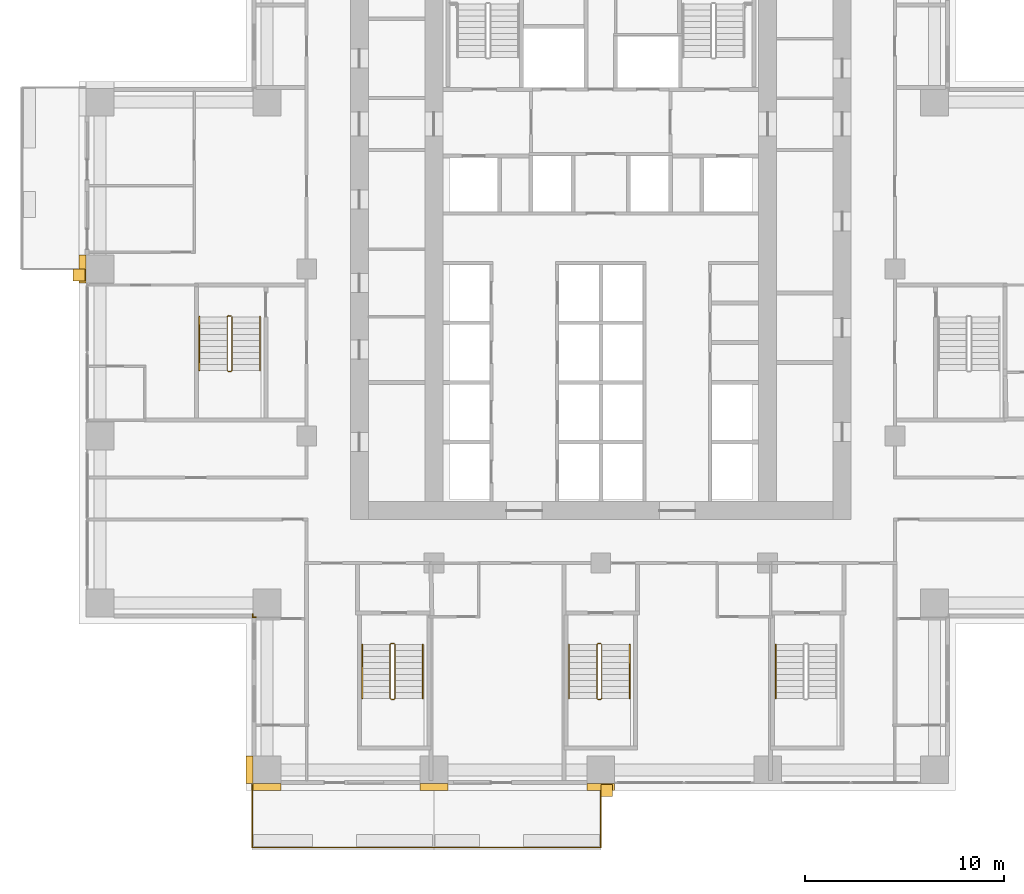
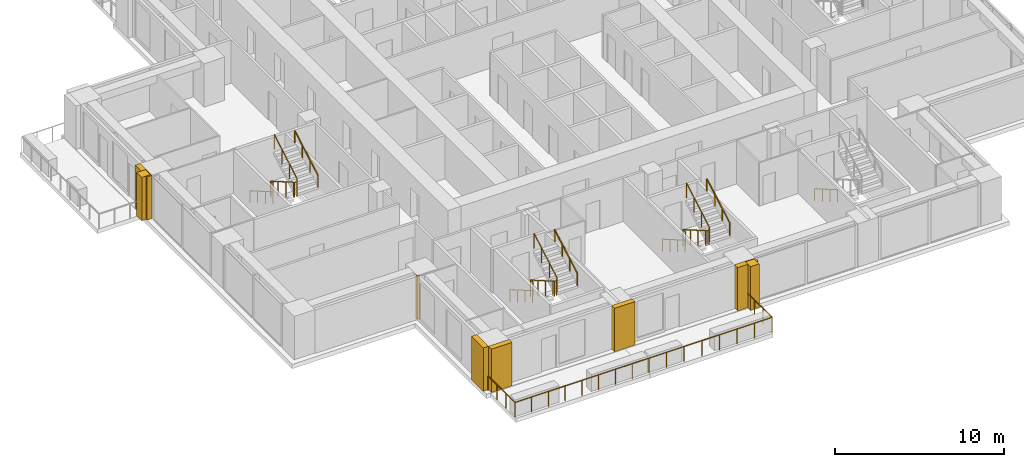
# One storey, part 13 of 16: 12 railings, 8 coverings.
"""IFC4 building model written with IfcOpenShell, lengths in metres."""

from ifc_helpers import new_model, si_unit, direction, frame, origin, origin_2d, place, context, subcontext, project, spatial, polyline, rectangle, outline, extrude, material, type_object, element, save


model = new_model("IFC4")

# Units and contexts
model_context = context("Model", 3, precision=1e-05, world=origin(), true_north=direction((0.0, 1.0)))
body_context = subcontext(model_context, "Body", "Model", "MODEL_VIEW")
ifc_project = project(units=[si_unit("LENGTHUNIT", "METRE"), si_unit("AREAUNIT", "SQUARE_METRE"), si_unit("VOLUMEUNIT", "CUBIC_METRE"), si_unit("PLANEANGLEUNIT", "RADIAN"), si_unit("MASSUNIT", "GRAM", prefix="KILO")], contexts=[model_context])

# Site, building, storey
site_placement = place(None, origin())
site = spatial("IfcSite", under=ifc_project, at=site_placement, CompositionType="ELEMENT")
building_placement = place(site_placement, origin())
building = spatial("IfcBuilding", under=site, at=building_placement, Name="Vermilion Ogive Tower", CompositionType="ELEMENT")
storey_placement = place(building_placement, frame((0.0, 0.0, 44.85009765625)))
storey = spatial("IfcBuildingStorey", under=building, at=storey_placement, Name="L09", CompositionType="ELEMENT", Elevation=44.85009765625)

# Railings
ifc_material_1 = material(Name="Stainless steel and glass", Category="steel")
railing_type_1 = type_object("IfcRailingType", Name="Balcony guard", PredefinedType="GUARDRAIL", material=ifc_material_1)
railing_1_placement = place(storey_placement, frame((-17.550048828125, -21.75, -0.0400390625)))
element("IfcRailing", 1, at=railing_1_placement, inside=storey, type_object=railing_type_1, Name="Guard S01", PredefinedType="GUARDRAIL", context=body_context, shape_type="SweptSolid", body=[
    extrude(rectangle(XDim=0.048095703125, YDim=0.048095703125, at=origin_2d()), frame((0.0, 0.0, 1.076171875), z_axis=(0.0, -1.0, 0.0), x_axis=(1.0, 0.0, 0.0)), (0.0, 0.0, 1.0), 3.159912109375),
    extrude(rectangle(XDim=0.048095703125, YDim=0.048095703125, at=origin_2d()), frame((0.0, -3.159912109375, 1.076171875), z_axis=(1.0, 0.0, 0.0), x_axis=(0.0, 1.0, 0.0)), (0.0, 0.0, 1.0), 9.150146484375),
    extrude(rectangle(XDim=0.0419921875, YDim=0.0419921875, at=origin_2d()), origin(), (0.0, 0.0, 1.0), 1.052001953125),
    extrude(rectangle(XDim=0.0419921875, YDim=0.0419921875, at=origin_2d()), frame((0.0, -1.05322265625, 0.0)), (0.0, 0.0, 1.0), 1.052001953125),
    extrude(rectangle(XDim=0.0419921875, YDim=0.0419921875, at=origin_2d()), frame((0.0, -2.106689453125, 0.0)), (0.0, 0.0, 1.0), 1.052001953125),
    extrude(rectangle(XDim=0.0419921875, YDim=0.0419921875, at=origin_2d()), frame((0.0, -3.159912109375, 0.0)), (0.0, 0.0, 1.0), 1.052001953125),
    extrude(rectangle(XDim=0.0419921875, YDim=0.0419921875, at=origin_2d()), frame((1.143798828125, -3.159912109375, 0.0)), (0.0, 0.0, 1.0), 1.052001953125),
    extrude(rectangle(XDim=0.0419921875, YDim=0.0419921875, at=origin_2d()), frame((2.28759765625, -3.159912109375, 0.0)), (0.0, 0.0, 1.0), 1.052001953125),
    extrude(rectangle(XDim=0.0419921875, YDim=0.0419921875, at=origin_2d()), frame((3.431396484375, -3.159912109375, 0.0)), (0.0, 0.0, 1.0), 1.052001953125),
    extrude(rectangle(XDim=0.0419921875, YDim=0.0419921875, at=origin_2d()), frame((4.5751953125, -3.159912109375, 0.0)), (0.0, 0.0, 1.0), 1.052001953125),
    extrude(rectangle(XDim=0.0419921875, YDim=0.0419921875, at=origin_2d()), frame((5.71875, -3.159912109375, 0.0)), (0.0, 0.0, 1.0), 1.052001953125),
    extrude(rectangle(XDim=0.0419921875, YDim=0.0419921875, at=origin_2d()), frame((6.862548828125, -3.159912109375, 0.0)), (0.0, 0.0, 1.0), 1.052001953125),
    extrude(rectangle(XDim=0.0419921875, YDim=0.0419921875, at=origin_2d()), frame((8.00634765625, -3.159912109375, 0.0)), (0.0, 0.0, 1.0), 1.052001953125),
    extrude(rectangle(XDim=0.0419921875, YDim=0.0419921875, at=origin_2d()), frame((9.150146484375, -3.159912109375, 0.0)), (0.0, 0.0, 1.0), 1.052001953125),
])
railing_2_placement = place(storey_placement, frame((-8.39990234375, -24.909912109375, -0.0400390625)))
element("IfcRailing", 2, at=railing_2_placement, inside=storey, type_object=railing_type_1, Name="Guard S02", PredefinedType="GUARDRAIL", context=body_context, shape_type="SweptSolid", body=[
    extrude(rectangle(XDim=0.048095703125, YDim=0.048095703125, at=origin_2d()), frame((0.0, 0.0, 1.076171875), z_axis=(1.0, 0.0, 0.0), x_axis=(0.0, 1.0, 0.0)), (0.0, 0.0, 1.0), 8.39990234375),
    extrude(rectangle(XDim=0.048095703125, YDim=0.048095703125, at=origin_2d()), frame((8.39990234375, 0.0, 1.076171875), z_axis=(0.0, 1.0, 0.0), x_axis=(-1.0, 0.0, 0.0)), (0.0, 0.0, 1.0), 3.159912109375),
    extrude(rectangle(XDim=0.0419921875, YDim=0.0419921875, at=origin_2d()), origin(), (0.0, 0.0, 1.0), 1.052001953125),
    extrude(rectangle(XDim=0.0419921875, YDim=0.0419921875, at=origin_2d()), frame((1.199951171875, 0.0, 0.0)), (0.0, 0.0, 1.0), 1.052001953125),
    extrude(rectangle(XDim=0.0419921875, YDim=0.0419921875, at=origin_2d()), frame((2.39990234375, 0.0, 0.0)), (0.0, 0.0, 1.0), 1.052001953125),
    extrude(rectangle(XDim=0.0419921875, YDim=0.0419921875, at=origin_2d()), frame((3.599853515625, 0.0, 0.0)), (0.0, 0.0, 1.0), 1.052001953125),
    extrude(rectangle(XDim=0.0419921875, YDim=0.0419921875, at=origin_2d()), frame((4.800048828125, 0.0, 0.0)), (0.0, 0.0, 1.0), 1.052001953125),
    extrude(rectangle(XDim=0.0419921875, YDim=0.0419921875, at=origin_2d()), frame((6.0, 0.0, 0.0)), (0.0, 0.0, 1.0), 1.052001953125),
    extrude(rectangle(XDim=0.0419921875, YDim=0.0419921875, at=origin_2d()), frame((7.199951171875, 0.0, 0.0)), (0.0, 0.0, 1.0), 1.052001953125),
    extrude(rectangle(XDim=0.0419921875, YDim=0.0419921875, at=origin_2d()), frame((8.39990234375, 0.0, 0.0)), (0.0, 0.0, 1.0), 1.052001953125),
    extrude(rectangle(XDim=0.0419921875, YDim=0.0419921875, at=origin_2d()), frame((8.39990234375, 1.05322265625, 0.0)), (0.0, 0.0, 1.0), 1.052001953125),
    extrude(rectangle(XDim=0.0419921875, YDim=0.0419921875, at=origin_2d()), frame((8.39990234375, 2.106689453125, 0.0)), (0.0, 0.0, 1.0), 1.052001953125),
    extrude(rectangle(XDim=0.0419921875, YDim=0.0419921875, at=origin_2d()), frame((8.39990234375, 3.159912109375, 0.0)), (0.0, 0.0, 1.0), 1.052001953125),
])
ifc_material_2 = material(Name="Steel S355 painted", Category="steel")
railing_type_2 = type_object("IfcRailingType", Name="Stair guard 1100", PredefinedType="GUARDRAIL", material=ifc_material_2)
railing_3_placement = place(storey_placement, frame((-10.39990234375, -14.64990234375, 0.0)))
element("IfcRailing", 3, at=railing_3_placement, inside=storey, type_object=railing_type_2, Name="L09 ST3 stair guard 4", PredefinedType="GUARDRAIL", context=body_context, shape_type="SweptSolid", body=[
    extrude(rectangle(XDim=0.048095703125, YDim=0.048095703125, at=origin_2d()), frame((0.0, 0.0, 1.076171875), z_axis=(-1.0, 0.0, 0.0), x_axis=(0.0, -1.0, 0.0)), (0.0, 0.0, 1.0), 0.150146484375),
    extrude(rectangle(XDim=0.048095703125, YDim=0.048095703125, at=origin_2d()), frame((-0.150146484375, 0.0, 1.076171875), z_axis=(-0.268603158521, -0.268603158521, 0.925043072762), x_axis=(0.707106781187, -0.707106781187, 0.0)), (0.0, 0.0, 1.0), 0.186279296875),
    extrude(rectangle(XDim=0.048095703125, YDim=0.048095703125, at=origin_2d()), frame((-0.2001953125, -0.050048828125, 1.24853515625), z_axis=(0.0, -0.866903762492, 0.498475542607), x_axis=(1.0, 0.0, 0.0)), (0.0, 0.0, 1.0), 3.114501953125),
    extrude(rectangle(XDim=0.048095703125, YDim=0.048095703125, at=origin_2d()), frame((-0.2001953125, -2.75, 2.80078125), z_axis=(0.707106781187, -0.707106781187, 0.0), x_axis=(0.707106781187, 0.707106781187, 0.0)), (0.0, 0.0, 1.0), 0.07080078125),
    extrude(rectangle(XDim=0.048095703125, YDim=0.048095703125, at=origin_2d()), frame((-0.150146484375, -2.800048828125, 2.80078125), z_axis=(1.0, 0.0, 0.0), x_axis=(0.0, 1.0, 0.0)), (0.0, 0.0, 1.0), 0.150146484375),
    extrude(rectangle(XDim=0.048095703125, YDim=0.048095703125, at=origin_2d()), frame((0.0, -2.800048828125, 2.80078125), z_axis=(0.267062837333, 0.268371968888, 0.925556009775), x_axis=(-0.708833529934, 0.705375805398, 0.0)), (0.0, 0.0, 1.0), 0.1865234375),
    extrude(rectangle(XDim=0.048095703125, YDim=0.048095703125, at=origin_2d()), frame((0.0498046875, -2.75, 2.9736328125), z_axis=(0.0, 0.866903762492, 0.498475542607), x_axis=(-1.0, 0.0, 0.0)), (0.0, 0.0, 1.0), 3.114501953125),
    extrude(rectangle(XDim=0.0419921875, YDim=0.0419921875, at=origin_2d()), origin(), (0.0, 0.0, 1.0), 1.052001953125),
    extrude(rectangle(XDim=0.0419921875, YDim=0.0419921875, at=origin_2d()), frame((-0.150146484375, 0.0, 0.0)), (0.0, 0.0, 1.0), 1.052001953125),
    extrude(rectangle(XDim=0.0419921875, YDim=0.0419921875, at=origin_2d()), frame((-0.2001953125, -0.050048828125, 0.17236328125)), (0.0, 0.0, 1.0), 1.052001953125),
    extrude(rectangle(XDim=0.0419921875, YDim=0.0419921875, at=origin_2d()), frame((-0.2001953125, -0.949951171875, 0.68994140625)), (0.0, 0.0, 1.0), 1.052001953125),
    extrude(rectangle(XDim=0.0419921875, YDim=0.0419921875, at=origin_2d()), frame((-0.2001953125, -1.85009765625, 1.207275390625)), (0.0, 0.0, 1.0), 1.052001953125),
    extrude(rectangle(XDim=0.0419921875, YDim=0.0419921875, at=origin_2d()), frame((-0.2001953125, -2.75, 1.724853515625)), (0.0, 0.0, 1.0), 1.052001953125),
    extrude(rectangle(XDim=0.0419921875, YDim=0.0419921875, at=origin_2d()), frame((-0.150146484375, -2.800048828125, 1.724853515625)), (0.0, 0.0, 1.0), 1.052001953125),
    extrude(rectangle(XDim=0.0419921875, YDim=0.0419921875, at=origin_2d()), frame((0.0, -2.800048828125, 1.724853515625)), (0.0, 0.0, 1.0), 1.052001953125),
    extrude(rectangle(XDim=0.0419921875, YDim=0.0419921875, at=origin_2d()), frame((0.0498046875, -2.75, 1.8974609375)), (0.0, 0.0, 1.0), 1.052001953125),
    extrude(rectangle(XDim=0.0419921875, YDim=0.0419921875, at=origin_2d()), frame((0.0498046875, -1.85009765625, 2.4150390625)), (0.0, 0.0, 1.0), 1.052001953125),
    extrude(rectangle(XDim=0.0419921875, YDim=0.0419921875, at=origin_2d()), frame((0.0498046875, -0.949951171875, 2.932373046875)), (0.0, 0.0, 1.0), 1.052001953125),
    extrude(rectangle(XDim=0.0419921875, YDim=0.0419921875, at=origin_2d()), frame((0.0498046875, -0.050048828125, 3.449951171875)), (0.0, 0.0, 1.0), 1.052001953125),
])
railing_4_placement = place(storey_placement, frame((0.0, -14.64990234375, 0.0)))
element("IfcRailing", 4, at=railing_4_placement, inside=storey, type_object=railing_type_2, Name="L09 ST4 stair guard 4", PredefinedType="GUARDRAIL", context=body_context, shape_type="SweptSolid", body=[
    extrude(rectangle(XDim=0.048095703125, YDim=0.048095703125, at=origin_2d()), frame((0.0, 0.0, 1.076171875), z_axis=(-1.0, 0.0, 0.0), x_axis=(0.0, -1.0, 0.0)), (0.0, 0.0, 1.0), 0.14990234375),
    extrude(rectangle(XDim=0.048095703125, YDim=0.048095703125, at=origin_2d()), frame((-0.14990234375, 0.0, 1.076171875), z_axis=(-0.268603158521, -0.268603158521, 0.925043072762), x_axis=(0.707106781187, -0.707106781187, 0.0)), (0.0, 0.0, 1.0), 0.186279296875),
    extrude(rectangle(XDim=0.048095703125, YDim=0.048095703125, at=origin_2d()), frame((-0.199951171875, -0.050048828125, 1.24853515625), z_axis=(0.0, -0.866903762492, 0.498475542607), x_axis=(1.0, 0.0, 0.0)), (0.0, 0.0, 1.0), 3.114501953125),
    extrude(rectangle(XDim=0.048095703125, YDim=0.048095703125, at=origin_2d()), frame((-0.199951171875, -2.75, 2.80078125), z_axis=(0.707106781187, -0.707106781187, 0.0), x_axis=(0.707106781187, 0.707106781187, 0.0)), (0.0, 0.0, 1.0), 0.07080078125),
    extrude(rectangle(XDim=0.048095703125, YDim=0.048095703125, at=origin_2d()), frame((-0.14990234375, -2.800048828125, 2.80078125), z_axis=(1.0, 0.0, 0.0), x_axis=(0.0, 1.0, 0.0)), (0.0, 0.0, 1.0), 0.14990234375),
    extrude(rectangle(XDim=0.048095703125, YDim=0.048095703125, at=origin_2d()), frame((0.0, -2.800048828125, 2.80078125), z_axis=(0.268277960024, 0.268277960024, 0.925231793839), x_axis=(-0.707106781187, 0.707106781187, 0.0)), (0.0, 0.0, 1.0), 0.1865234375),
    extrude(rectangle(XDim=0.048095703125, YDim=0.048095703125, at=origin_2d()), frame((0.050048828125, -2.75, 2.9736328125), z_axis=(0.0, 0.866903762492, 0.498475542607), x_axis=(-1.0, 0.0, 0.0)), (0.0, 0.0, 1.0), 3.114501953125),
    extrude(rectangle(XDim=0.0419921875, YDim=0.0419921875, at=origin_2d()), origin(), (0.0, 0.0, 1.0), 1.052001953125),
    extrude(rectangle(XDim=0.0419921875, YDim=0.0419921875, at=origin_2d()), frame((-0.14990234375, 0.0, 0.0)), (0.0, 0.0, 1.0), 1.052001953125),
    extrude(rectangle(XDim=0.0419921875, YDim=0.0419921875, at=origin_2d()), frame((-0.199951171875, -0.050048828125, 0.17236328125)), (0.0, 0.0, 1.0), 1.052001953125),
    extrude(rectangle(XDim=0.0419921875, YDim=0.0419921875, at=origin_2d()), frame((-0.199951171875, -0.949951171875, 0.68994140625)), (0.0, 0.0, 1.0), 1.052001953125),
    extrude(rectangle(XDim=0.0419921875, YDim=0.0419921875, at=origin_2d()), frame((-0.199951171875, -1.85009765625, 1.207275390625)), (0.0, 0.0, 1.0), 1.052001953125),
    extrude(rectangle(XDim=0.0419921875, YDim=0.0419921875, at=origin_2d()), frame((-0.199951171875, -2.75, 1.724853515625)), (0.0, 0.0, 1.0), 1.052001953125),
    extrude(rectangle(XDim=0.0419921875, YDim=0.0419921875, at=origin_2d()), frame((-0.14990234375, -2.800048828125, 1.724853515625)), (0.0, 0.0, 1.0), 1.052001953125),
    extrude(rectangle(XDim=0.0419921875, YDim=0.0419921875, at=origin_2d()), frame((0.0, -2.800048828125, 1.724853515625)), (0.0, 0.0, 1.0), 1.052001953125),
    extrude(rectangle(XDim=0.0419921875, YDim=0.0419921875, at=origin_2d()), frame((0.050048828125, -2.75, 1.8974609375)), (0.0, 0.0, 1.0), 1.052001953125),
    extrude(rectangle(XDim=0.0419921875, YDim=0.0419921875, at=origin_2d()), frame((0.050048828125, -1.85009765625, 2.4150390625)), (0.0, 0.0, 1.0), 1.052001953125),
    extrude(rectangle(XDim=0.0419921875, YDim=0.0419921875, at=origin_2d()), frame((0.050048828125, -0.949951171875, 2.932373046875)), (0.0, 0.0, 1.0), 1.052001953125),
    extrude(rectangle(XDim=0.0419921875, YDim=0.0419921875, at=origin_2d()), frame((0.050048828125, -0.050048828125, 3.449951171875)), (0.0, 0.0, 1.0), 1.052001953125),
])
railing_5_placement = place(storey_placement, frame((-18.60009765625, 1.85009765625, 0.0)))
element("IfcRailing", 5, at=railing_5_placement, inside=storey, type_object=railing_type_2, Name="L09 ST9 stair guard 4", PredefinedType="GUARDRAIL", context=body_context, shape_type="SweptSolid", body=[
    extrude(rectangle(XDim=0.048095703125, YDim=0.048095703125, at=origin_2d()), frame((0.0, 0.0, 1.076171875), z_axis=(-1.0, 0.0, 0.0), x_axis=(0.0, -1.0, 0.0)), (0.0, 0.0, 1.0), 0.14990234375),
    extrude(rectangle(XDim=0.048095703125, YDim=0.048095703125, at=origin_2d()), frame((-0.14990234375, 0.0, 1.076171875), z_axis=(-0.268603158521, -0.268603158521, 0.925043072762), x_axis=(0.707106781187, -0.707106781187, 0.0)), (0.0, 0.0, 1.0), 0.186279296875),
    extrude(rectangle(XDim=0.048095703125, YDim=0.048095703125, at=origin_2d()), frame((-0.199951171875, -0.050048828125, 1.24853515625), z_axis=(0.0, -0.866903762492, 0.498475542607), x_axis=(1.0, 0.0, 0.0)), (0.0, 0.0, 1.0), 3.114501953125),
    extrude(rectangle(XDim=0.048095703125, YDim=0.048095703125, at=origin_2d()), frame((-0.199951171875, -2.75, 2.80078125), z_axis=(0.707106781187, -0.707106781187, 0.0), x_axis=(0.707106781187, 0.707106781187, 0.0)), (0.0, 0.0, 1.0), 0.07080078125),
    extrude(rectangle(XDim=0.048095703125, YDim=0.048095703125, at=origin_2d()), frame((-0.14990234375, -2.800048828125, 2.80078125), z_axis=(1.0, 0.0, 0.0), x_axis=(0.0, 1.0, 0.0)), (0.0, 0.0, 1.0), 0.14990234375),
    extrude(rectangle(XDim=0.048095703125, YDim=0.048095703125, at=origin_2d()), frame((0.0, -2.800048828125, 2.80078125), z_axis=(0.268277960024, 0.268277960024, 0.925231793839), x_axis=(-0.707106781187, 0.707106781187, 0.0)), (0.0, 0.0, 1.0), 0.1865234375),
    extrude(rectangle(XDim=0.048095703125, YDim=0.048095703125, at=origin_2d()), frame((0.050048828125, -2.75, 2.9736328125), z_axis=(0.0, 0.866903762492, 0.498475542607), x_axis=(-1.0, 0.0, 0.0)), (0.0, 0.0, 1.0), 3.114501953125),
    extrude(rectangle(XDim=0.0419921875, YDim=0.0419921875, at=origin_2d()), origin(), (0.0, 0.0, 1.0), 1.052001953125),
    extrude(rectangle(XDim=0.0419921875, YDim=0.0419921875, at=origin_2d()), frame((-0.14990234375, 0.0, 0.0)), (0.0, 0.0, 1.0), 1.052001953125),
    extrude(rectangle(XDim=0.0419921875, YDim=0.0419921875, at=origin_2d()), frame((-0.199951171875, -0.050048828125, 0.17236328125)), (0.0, 0.0, 1.0), 1.052001953125),
    extrude(rectangle(XDim=0.0419921875, YDim=0.0419921875, at=origin_2d()), frame((-0.199951171875, -0.949951171875, 0.68994140625)), (0.0, 0.0, 1.0), 1.052001953125),
    extrude(rectangle(XDim=0.0419921875, YDim=0.0419921875, at=origin_2d()), frame((-0.199951171875, -1.85009765625, 1.207275390625)), (0.0, 0.0, 1.0), 1.052001953125),
    extrude(rectangle(XDim=0.0419921875, YDim=0.0419921875, at=origin_2d()), frame((-0.199951171875, -2.75, 1.724853515625)), (0.0, 0.0, 1.0), 1.052001953125),
    extrude(rectangle(XDim=0.0419921875, YDim=0.0419921875, at=origin_2d()), frame((-0.14990234375, -2.800048828125, 1.724853515625)), (0.0, 0.0, 1.0), 1.052001953125),
    extrude(rectangle(XDim=0.0419921875, YDim=0.0419921875, at=origin_2d()), frame((0.0, -2.800048828125, 1.724853515625)), (0.0, 0.0, 1.0), 1.052001953125),
    extrude(rectangle(XDim=0.0419921875, YDim=0.0419921875, at=origin_2d()), frame((0.050048828125, -2.75, 1.8974609375)), (0.0, 0.0, 1.0), 1.052001953125),
    extrude(rectangle(XDim=0.0419921875, YDim=0.0419921875, at=origin_2d()), frame((0.050048828125, -1.85009765625, 2.4150390625)), (0.0, 0.0, 1.0), 1.052001953125),
    extrude(rectangle(XDim=0.0419921875, YDim=0.0419921875, at=origin_2d()), frame((0.050048828125, -0.949951171875, 2.932373046875)), (0.0, 0.0, 1.0), 1.052001953125),
    extrude(rectangle(XDim=0.0419921875, YDim=0.0419921875, at=origin_2d()), frame((0.050048828125, -0.050048828125, 3.449951171875)), (0.0, 0.0, 1.0), 1.052001953125),
])
ifc_material_3 = material(Name="Stainless steel", Category="steel")
railing_type_3 = type_object("IfcRailingType", Name="Stair handrail 900", PredefinedType="HANDRAIL", material=ifc_material_3)
railing_6_placement = place(storey_placement, frame((-12.0, -14.699951171875, 0.17236328125)))
element("IfcRailing", 6, at=railing_6_placement, inside=storey, type_object=railing_type_3, Name="L09 ST3 stair handrail 1", PredefinedType="HANDRAIL", context=body_context, shape_type="SweptSolid", body=[
    extrude(rectangle(XDim=0.048095703125, YDim=0.048095703125, at=origin_2d()), frame((0.0, 0.0, 0.8759765625), z_axis=(0.0, -0.866903762492, 0.498475542607), x_axis=(1.0, 0.0, 0.0)), (0.0, 0.0, 1.0), 3.114501953125),
    extrude(rectangle(XDim=0.0419921875, YDim=0.0419921875, at=origin_2d()), origin(), (0.0, 0.0, 1.0), 0.851806640625),
    extrude(rectangle(XDim=0.0419921875, YDim=0.0419921875, at=origin_2d()), frame((0.0, -0.89990234375, 0.517578125)), (0.0, 0.0, 1.0), 0.851806640625),
    extrude(rectangle(XDim=0.0419921875, YDim=0.0419921875, at=origin_2d()), frame((0.0, -1.800048828125, 1.034912109375)), (0.0, 0.0, 1.0), 0.851806640625),
    extrude(rectangle(XDim=0.0419921875, YDim=0.0419921875, at=origin_2d()), frame((0.0, -2.699951171875, 1.552490234375)), (0.0, 0.0, 1.0), 0.851806640625),
])
railing_7_placement = place(storey_placement, frame((-8.949951171875, -17.39990234375, 1.8974609375)))
element("IfcRailing", 7, at=railing_7_placement, inside=storey, type_object=railing_type_3, Name="L09 ST3 stair handrail 2", PredefinedType="HANDRAIL", context=body_context, shape_type="SweptSolid", body=[
    extrude(rectangle(XDim=0.048095703125, YDim=0.048095703125, at=origin_2d()), frame((0.0, 0.0, 0.8759765625), z_axis=(0.0, 0.866903762492, 0.498475542607), x_axis=(-1.0, 0.0, 0.0)), (0.0, 0.0, 1.0), 3.114501953125),
    extrude(rectangle(XDim=0.0419921875, YDim=0.0419921875, at=origin_2d()), origin(), (0.0, 0.0, 1.0), 0.851806640625),
    extrude(rectangle(XDim=0.0419921875, YDim=0.0419921875, at=origin_2d()), frame((0.0, 0.89990234375, 0.517578125)), (0.0, 0.0, 1.0), 0.851806640625),
    extrude(rectangle(XDim=0.0419921875, YDim=0.0419921875, at=origin_2d()), frame((0.0, 1.800048828125, 1.034912109375)), (0.0, 0.0, 1.0), 0.851806640625),
    extrude(rectangle(XDim=0.0419921875, YDim=0.0419921875, at=origin_2d()), frame((0.0, 2.699951171875, 1.552490234375)), (0.0, 0.0, 1.0), 0.851806640625),
])
railing_8_placement = place(storey_placement, frame((-1.60009765625, -14.699951171875, 0.17236328125)))
element("IfcRailing", 8, at=railing_8_placement, inside=storey, type_object=railing_type_3, Name="L09 ST4 stair handrail 1", PredefinedType="HANDRAIL", context=body_context, shape_type="SweptSolid", body=[
    extrude(rectangle(XDim=0.048095703125, YDim=0.048095703125, at=origin_2d()), frame((0.0, 0.0, 0.8759765625), z_axis=(0.0, -0.866903762492, 0.498475542607), x_axis=(1.0, 0.0, 0.0)), (0.0, 0.0, 1.0), 3.114501953125),
    extrude(rectangle(XDim=0.0419921875, YDim=0.0419921875, at=origin_2d()), origin(), (0.0, 0.0, 1.0), 0.851806640625),
    extrude(rectangle(XDim=0.0419921875, YDim=0.0419921875, at=origin_2d()), frame((0.0, -0.89990234375, 0.517578125)), (0.0, 0.0, 1.0), 0.851806640625),
    extrude(rectangle(XDim=0.0419921875, YDim=0.0419921875, at=origin_2d()), frame((0.0, -1.800048828125, 1.034912109375)), (0.0, 0.0, 1.0), 0.851806640625),
    extrude(rectangle(XDim=0.0419921875, YDim=0.0419921875, at=origin_2d()), frame((0.0, -2.699951171875, 1.552490234375)), (0.0, 0.0, 1.0), 0.851806640625),
])
railing_9_placement = place(storey_placement, frame((1.449951171875, -17.39990234375, 1.8974609375)))
element("IfcRailing", 9, at=railing_9_placement, inside=storey, type_object=railing_type_3, Name="L09 ST4 stair handrail 2", PredefinedType="HANDRAIL", context=body_context, shape_type="SweptSolid", body=[
    extrude(rectangle(XDim=0.048095703125, YDim=0.048095703125, at=origin_2d()), frame((0.0, 0.0, 0.8759765625), z_axis=(0.0, 0.866903762492, 0.498475542607), x_axis=(-1.0, 0.0, 0.0)), (0.0, 0.0, 1.0), 3.114501953125),
    extrude(rectangle(XDim=0.0419921875, YDim=0.0419921875, at=origin_2d()), origin(), (0.0, 0.0, 1.0), 0.851806640625),
    extrude(rectangle(XDim=0.0419921875, YDim=0.0419921875, at=origin_2d()), frame((0.0, 0.89990234375, 0.517578125)), (0.0, 0.0, 1.0), 0.851806640625),
    extrude(rectangle(XDim=0.0419921875, YDim=0.0419921875, at=origin_2d()), frame((0.0, 1.800048828125, 1.034912109375)), (0.0, 0.0, 1.0), 0.851806640625),
    extrude(rectangle(XDim=0.0419921875, YDim=0.0419921875, at=origin_2d()), frame((0.0, 2.699951171875, 1.552490234375)), (0.0, 0.0, 1.0), 0.851806640625),
])
for number, where, name in (
    (10, (8.800048828125, -14.699951171875, 0.17236328125), "L09 ST5 stair handrail 1"),
    (11, (-20.199951171875, 1.800048828125, 0.17236328125), "L09 ST9 stair handrail 1"),
):
    element("IfcRailing", number, at=place(storey_placement, frame(where)), inside=storey, type_object=railing_type_3, Name=name, PredefinedType="HANDRAIL", context=body_context, shape_type="SweptSolid", body=[
        extrude(rectangle(XDim=0.048095703125, YDim=0.048095703125, at=origin_2d()), frame((0.0, 0.0, 0.8759765625), z_axis=(0.0, -0.866903762492, 0.498475542607), x_axis=(1.0, 0.0, 0.0)), (0.0, 0.0, 1.0), 3.114501953125),
        extrude(rectangle(XDim=0.0419921875, YDim=0.0419921875, at=origin_2d()), origin(), (0.0, 0.0, 1.0), 0.851806640625),
        extrude(rectangle(XDim=0.0419921875, YDim=0.0419921875, at=origin_2d()), frame((0.0, -0.89990234375, 0.517578125)), (0.0, 0.0, 1.0), 0.851806640625),
        extrude(rectangle(XDim=0.0419921875, YDim=0.0419921875, at=origin_2d()), frame((0.0, -1.800048828125, 1.034912109375)), (0.0, 0.0, 1.0), 0.851806640625),
        extrude(rectangle(XDim=0.0419921875, YDim=0.0419921875, at=origin_2d()), frame((0.0, -2.699951171875, 1.552490234375)), (0.0, 0.0, 1.0), 0.851806640625),
    ])
railing_10_placement = place(storey_placement, frame((-17.14990234375, -0.89990234375, 1.8974609375)))
element("IfcRailing", 12, at=railing_10_placement, inside=storey, type_object=railing_type_3, Name="L09 ST9 stair handrail 2", PredefinedType="HANDRAIL", context=body_context, shape_type="SweptSolid", body=[
    extrude(rectangle(XDim=0.048095703125, YDim=0.048095703125, at=origin_2d()), frame((0.0, 0.0, 0.8759765625), z_axis=(0.0, 0.866903762492, 0.498475542607), x_axis=(-1.0, 0.0, 0.0)), (0.0, 0.0, 1.0), 3.114501953125),
    extrude(rectangle(XDim=0.0419921875, YDim=0.0419921875, at=origin_2d()), origin(), (0.0, 0.0, 1.0), 0.851806640625),
    extrude(rectangle(XDim=0.0419921875, YDim=0.0419921875, at=origin_2d()), frame((0.0, 0.89990234375, 0.517578125)), (0.0, 0.0, 1.0), 0.851806640625),
    extrude(rectangle(XDim=0.0419921875, YDim=0.0419921875, at=origin_2d()), frame((0.0, 1.800048828125, 1.034912109375)), (0.0, 0.0, 1.0), 0.851806640625),
    extrude(rectangle(XDim=0.0419921875, YDim=0.0419921875, at=origin_2d()), frame((0.0, 2.699951171875, 1.552490234375)), (0.0, 0.0, 1.0), 0.851806640625),
])

# Coverings
ifc_material_4 = material(Name="Stone cladding", Category="masonry")
covering_type_1 = type_object("IfcCoveringType", Name="Stone corner buttress", PredefinedType="CLADDING", material=ifc_material_4)
covering_1_placement = place(storey_placement, origin())
element("IfcCovering", 13, at=covering_1_placement, inside=storey, type_object=covering_type_1, Name="Stone crease pier SK", PredefinedType="CLADDING", context=body_context, shape_type="SweptSolid", body=[
    extrude(outline(polyline([(0.0, -22.35009765625), (0.60009765625, -22.35009765625), (0.60009765625, -21.75), (0.0, -21.75), (0.0, -22.35009765625)])), origin(), (0.0, 0.0, 1.0), 3.1298828125),
])
covering_2_placement = place(storey_placement, origin())
element("IfcCovering", 14, at=covering_2_placement, inside=storey, type_object=covering_type_1, Name="Stone crease pier WK", PredefinedType="CLADDING", context=body_context, shape_type="SweptSolid", body=[
    extrude(outline(polyline([(-26.550048828125, 4.199951171875), (-26.550048828125, 3.60009765625), (-25.949951171875, 3.60009765625), (-25.949951171875, 4.199951171875), (-26.550048828125, 4.199951171875)])), origin(), (0.0, 0.0, 1.0), 3.1298828125),
])
ifc_material_5 = material(Name="Stone cladding", Category="masonry")
covering_type_2 = type_object("IfcCoveringType", Name="Stone pier", PredefinedType="CLADDING", material=ifc_material_5)
covering_3_placement = place(storey_placement, origin())
element("IfcCovering", 15, at=covering_3_placement, inside=storey, type_object=covering_type_2, Name="Stone corner pier X7E1", PredefinedType="CLADDING", context=body_context, shape_type="SweptSolid", body=[
    extrude(outline(polyline([(-17.5, -13.14990234375), (-17.5, -13.300048828125), (-17.35009765625, -13.300048828125), (-17.35009765625, -13.35009765625), (-17.550048828125, -13.35009765625), (-17.550048828125, -13.14990234375), (-17.5, -13.14990234375)])), origin(), (0.0, 0.0, 1.0), 3.1298828125),
])
covering_4_placement = place(storey_placement, origin())
element("IfcCovering", 16, at=covering_4_placement, inside=storey, type_object=covering_type_2, Name="Stone pier P+0000-210", PredefinedType="CLADDING", context=body_context, shape_type="SweptSolid", body=[
    extrude(outline(polyline([(0.699951171875, -22.050048828125), (0.60009765625, -22.050048828125), (0.60009765625, -21.75), (0.0, -21.75), (0.0, -22.050048828125), (-0.699951171875, -22.050048828125), (-0.699951171875, -21.699951171875), (0.699951171875, -21.699951171875), (0.699951171875, -22.050048828125)])), origin(), (0.0, 0.0, 1.0), 3.1298828125),
])
covering_5_placement = place(storey_placement, origin())
element("IfcCovering", 17, at=covering_5_placement, inside=storey, type_object=covering_type_2, Name="Stone pier P-0084-210", PredefinedType="CLADDING", context=body_context, shape_type="SweptSolid", body=[
    extrude(outline(polyline([(-7.699951171875, -22.050048828125), (-9.10009765625, -22.050048828125), (-9.10009765625, -21.699951171875), (-7.699951171875, -21.699951171875), (-7.699951171875, -22.050048828125)])), origin(), (0.0, 0.0, 1.0), 3.1298828125),
])
covering_6_placement = place(storey_placement, origin())
element("IfcCovering", 18, at=covering_6_placement, inside=storey, type_object=covering_type_2, Name="Stone pier P-0168-210S", PredefinedType="CLADDING", context=body_context, shape_type="SweptSolid", body=[
    extrude(outline(polyline([(-16.10009765625, -22.050048828125), (-17.5, -22.050048828125), (-17.5, -21.699951171875), (-16.10009765625, -21.699951171875), (-16.10009765625, -22.050048828125)])), origin(), (0.0, 0.0, 1.0), 3.1298828125),
])
covering_7_placement = place(storey_placement, origin())
element("IfcCovering", 19, at=covering_7_placement, inside=storey, type_object=covering_type_2, Name="Stone pier P-0168-210X8", PredefinedType="CLADDING", context=body_context, shape_type="SweptSolid", body=[
    extrude(outline(polyline([(-17.85009765625, -20.300048828125), (-17.5, -20.300048828125), (-17.5, -21.699951171875), (-17.85009765625, -21.699951171875), (-17.85009765625, -20.300048828125)])), origin(), (0.0, 0.0, 1.0), 3.1298828125),
])
covering_8_placement = place(storey_placement, origin())
element("IfcCovering", 20, at=covering_8_placement, inside=storey, type_object=covering_type_2, Name="Stone pier P-0252+042", PredefinedType="CLADDING", context=body_context, shape_type="SweptSolid", body=[
    extrude(outline(polyline([(-26.25, 3.5), (-26.25, 3.60009765625), (-25.949951171875, 3.60009765625), (-25.949951171875, 4.199951171875), (-26.25, 4.199951171875), (-26.25, 4.89990234375), (-25.89990234375, 4.89990234375), (-25.89990234375, 3.5), (-26.25, 3.5)])), origin(), (0.0, 0.0, 1.0), 3.1298828125),
])

save(model, "model.ifc")
